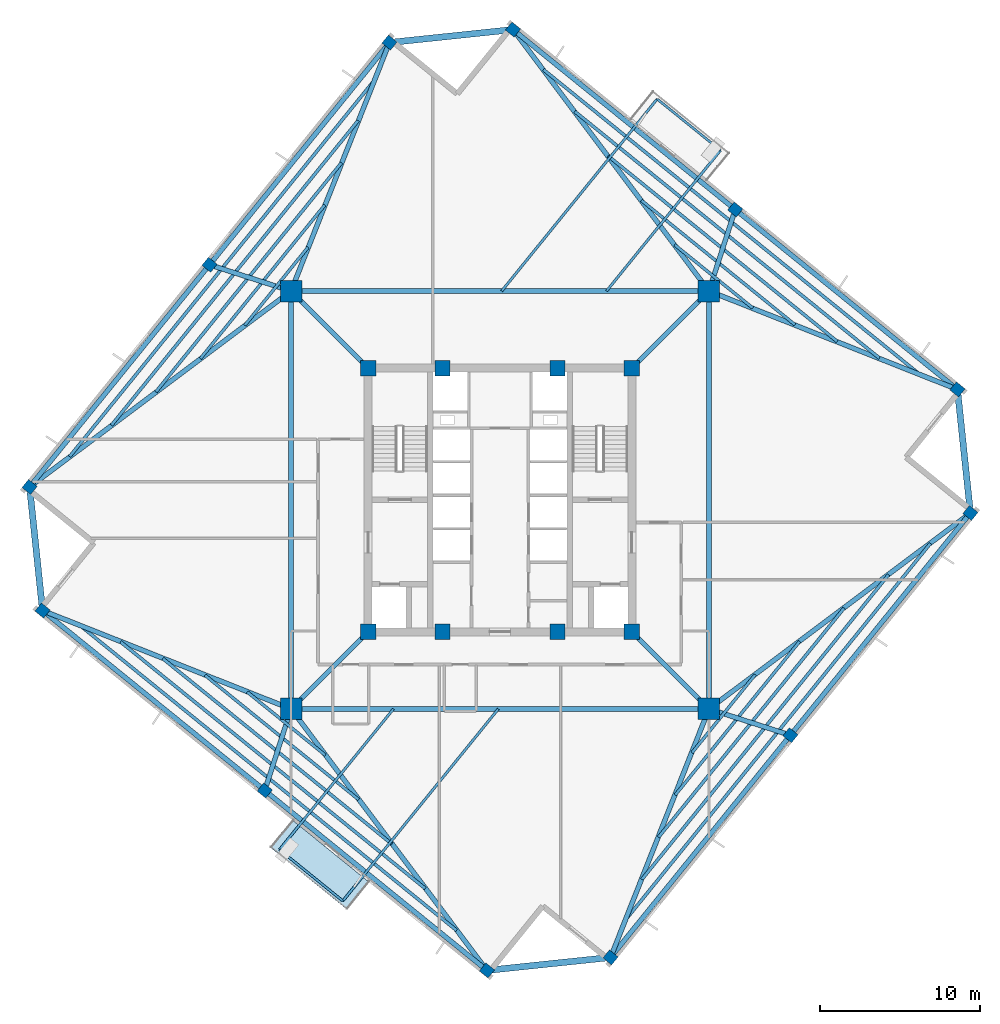
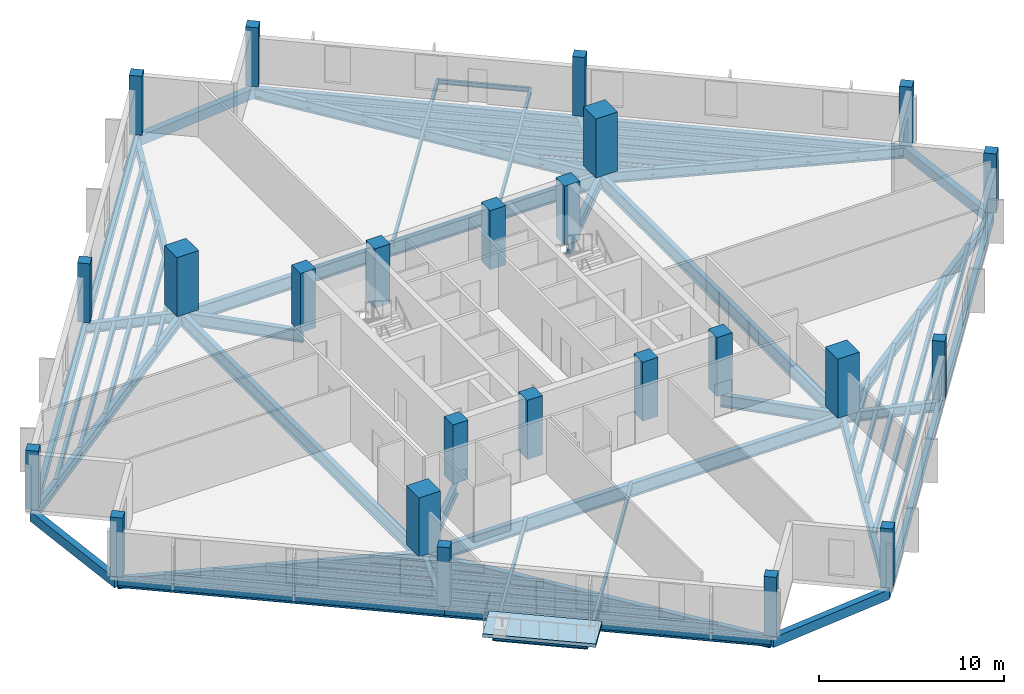
# One storey, part 1 of 10: 58 beams, 24 columns, 1 slab.
"""IFC4 building model written with IfcOpenShell, lengths in metres."""

from ifc_helpers import new_model, si_unit, direction, frame, origin, origin_2d, place, context, subcontext, project, spatial, polyline, rectangle, i_section, outline, extrude, source, transform, mapped, material, layer, layer_set, material_profile, profile_set, type_object, element, save


model = new_model("IFC4")

# Units and contexts
model_context = context("Model", 3, precision=1e-05, world=origin(), true_north=direction((0.0, 1.0)))
body_context = subcontext(model_context, "Body", "Model", "MODEL_VIEW")
ifc_project = project(units=[si_unit("LENGTHUNIT", "METRE"), si_unit("AREAUNIT", "SQUARE_METRE"), si_unit("VOLUMEUNIT", "CUBIC_METRE"), si_unit("PLANEANGLEUNIT", "RADIAN"), si_unit("MASSUNIT", "GRAM", prefix="KILO"), si_unit("THERMODYNAMICTEMPERATUREUNIT", "KELVIN")], contexts=[model_context])

# Site, building, storey
site_placement = place(None, origin())
site = spatial("IfcSite", under=ifc_project, at=site_placement, CompositionType="ELEMENT")
building_placement = place(site_placement, origin())
building = spatial("IfcBuilding", under=site, at=building_placement, Name="Kosmvard Interchange Tower", CompositionType="ELEMENT")
storey_placement = place(building_placement, frame((0.0, 0.0, 217.300048828125)))
storey = spatial("IfcBuildingStorey", under=building, at=storey_placement, Name="L52", CompositionType="ELEMENT", Elevation=217.300048828125)

# Columns
ifc_material_1 = material(Name="Concrete C60/75", Category="concrete")
ifc_material_profile_1 = material_profile(ifc_material_1, rectangle(XDim=0.949951171875, YDim=0.949951171875, at=origin_2d()), Name="CP 950x950")
ifc_profile_set_1 = profile_set([ifc_material_profile_1], Name="Concrete C60/75")
column_type_1 = type_object("IfcColumnType", Name="Core Boundary Pilaster 950x950 C60/75", PredefinedType="PILASTER", material=ifc_profile_set_1)
shared_shape_1 = source(origin(), body_context, "Body", "SweptSolid", [
    extrude(rectangle(XDim=0.949951171875, YDim=0.949951171875, at=origin_2d()), origin(), (0.0, 0.0, 1.0), 3.89990234375),
])
for number, where, z_axis, x_axis, name in (
    (1, (-8.25, -8.25, 0.0), (0.0, 0.0, 1.0), (1.0, 0.0, 0.0), "L52 Core Pilaster CP1"),
    (2, (8.25, -8.25, 0.0), (0.0, 0.0, 1.0), (1.0, 0.0, 0.0), "L52 Core Pilaster CP2"),
    (3, (8.25, 8.25, 0.0), (0.0, 0.0, 1.0), (1.0, 0.0, 0.0), "L52 Core Pilaster CP3"),
    (4, (-8.25, 8.25, 0.0), (0.0, 0.0, 1.0), (1.0, 0.0, 0.0), "L52 Core Pilaster CP4"),
    (5, (-3.60009765625, -8.25, 0.0), (0.0, 0.0, 1.0), (1.0, 0.0, 0.0), "L52 Core Pilaster CP5"),
    (6, (3.60009765625, -8.25, 0.0), (0.0, 0.0, 1.0), (1.0, 0.0, 0.0), "L52 Core Pilaster CP6"),
    (7, (-3.60009765625, 8.25, 0.0), (0.0, 0.0, 1.0), (1.0, 0.0, 0.0), "L52 Core Pilaster CP7"),
    (8, (3.60009765625, 8.25, 0.0), (0.0, 0.0, 1.0), (1.0, 0.0, 0.0), "L52 Core Pilaster CP8"),
):
    element("IfcColumn", number, at=place(storey_placement, frame(where, z_axis=z_axis, x_axis=x_axis)), inside=storey, type_object=column_type_1, Name=name, PredefinedType="PILASTER", context=body_context, shape_type="MappedRepresentation", body=[
        mapped(shared_shape_1, transform((0.0, 0.0, 0.0), scale=1.0)),
    ])
ifc_material_profile_2 = material_profile(ifc_material_1, rectangle(XDim=1.35009765625, YDim=1.35009765625, at=origin_2d()), Name="MC 1350x1350")
ifc_profile_set_2 = profile_set([ifc_material_profile_2], Name="Concrete C60/75")
column_type_2 = type_object("IfcColumnType", Name="Composite Mega-Column 1350x1350 C60/75", PredefinedType="COLUMN", material=ifc_profile_set_2)
shared_shape_2 = source(origin(), body_context, "Body", "SweptSolid", [
    extrude(rectangle(XDim=1.35009765625, YDim=1.35009765625, at=origin_2d()), origin(), (0.0, 0.0, 1.0), 3.89990234375),
])
for number, where, z_axis, x_axis, name in (
    (9, (-13.0810546875, -13.0810546875, 0.0), (0.0, 0.0, 1.0), (1.0, 0.0, 0.0), "L52 Corner Mega-Column MC1"),
    (10, (13.0810546875, -13.0810546875, 0.0), (0.0, 0.0, 1.0), (1.0, 0.0, 0.0), "L52 Corner Mega-Column MC2"),
    (11, (13.0810546875, 13.0810546875, 0.0), (0.0, 0.0, 1.0), (1.0, 0.0, 0.0), "L52 Corner Mega-Column MC3"),
    (12, (-13.0810546875, 13.0810546875, 0.0), (0.0, 0.0, 1.0), (1.0, 0.0, 0.0), "L52 Corner Mega-Column MC4"),
):
    element("IfcColumn", number, at=place(storey_placement, frame(where, z_axis=z_axis, x_axis=x_axis)), inside=storey, type_object=column_type_2, Name=name, PredefinedType="COLUMN", context=body_context, shape_type="MappedRepresentation", body=[
        mapped(shared_shape_2, transform((0.0, 0.0, 0.0), scale=1.0)),
    ])
ifc_material_2 = material(Name="Concrete C50/60", Category="concrete")
ifc_material_profile_3 = material_profile(ifc_material_2, rectangle(XDim=0.64990234375, YDim=0.699951171875, at=origin_2d()), Name="TC 700x650")
ifc_profile_set_3 = profile_set([ifc_material_profile_3], Name="Concrete C50/60")
column_type_3 = type_object("IfcColumnType", Name="Zone 4 Perimeter Pier Column 700x650 C50/60", PredefinedType="COLUMN", material=ifc_profile_set_3)
shared_shape_3 = source(origin(), body_context, "Body", "SweptSolid", [
    extrude(rectangle(XDim=0.64990234375, YDim=0.699951171875, at=origin_2d()), origin(), (0.0, 0.0, 1.0), 3.89990234375),
])
for number, where, z_axis, x_axis, name in (
    (13, (6.92041015625, -28.636962890625, 0.0), (0.0, 0.0, 1.0), (0.62932039105, 0.777145961457, 0.0), "L52 Perimeter Pier Column TC-S1"),
    (14, (18.185302734375, -14.72607421875, 0.0), (0.0, 0.0, 1.0), (0.62932039105, 0.777145961457, 0.0), "L52 Perimeter Pier Column TC-S2"),
    (15, (29.449951171875, -0.815185546875, 0.0), (0.0, 0.0, 1.0), (0.62932039105, 0.777145961457, 0.0), "L52 Perimeter Pier Column TC-S3"),
    (16, (28.636962890625, 6.92041015625, 0.0), (0.0, 0.0, 1.0), (0.62932039105, 0.777145961457, 0.0), "L52 Perimeter Pier Column TC-E1"),
    (17, (14.72607421875, 18.185302734375, 0.0), (0.0, 0.0, 1.0), (0.62932039105, 0.777145961457, 0.0), "L52 Perimeter Pier Column TC-E2"),
    (18, (0.815185546875, 29.449951171875, 0.0), (0.0, 0.0, 1.0), (0.62932039105, 0.777145961457, 0.0), "L52 Perimeter Pier Column TC-E3"),
    (19, (-6.92041015625, 28.636962890625, 0.0), (0.0, 0.0, 1.0), (0.62932039105, 0.777145961457, 0.0), "L52 Perimeter Pier Column TC-N1"),
    (20, (-18.185302734375, 14.72607421875, 0.0), (0.0, 0.0, 1.0), (0.62932039105, 0.777145961457, 0.0), "L52 Perimeter Pier Column TC-N2"),
    (21, (-29.449951171875, 0.815185546875, 0.0), (0.0, 0.0, 1.0), (0.62932039105, 0.777145961457, 0.0), "L52 Perimeter Pier Column TC-N3"),
    (22, (-28.636962890625, -6.92041015625, 0.0), (0.0, 0.0, 1.0), (0.62932039105, 0.777145961457, 0.0), "L52 Perimeter Pier Column TC-W1"),
    (23, (-14.72607421875, -18.185302734375, 0.0), (0.0, 0.0, 1.0), (0.62932039105, 0.777145961457, 0.0), "L52 Perimeter Pier Column TC-W2"),
    (24, (-0.815185546875, -29.449951171875, 0.0), (0.0, 0.0, 1.0), (0.62932039105, 0.777145961457, 0.0), "L52 Perimeter Pier Column TC-W3"),
):
    element("IfcColumn", number, at=place(storey_placement, frame(where, z_axis=z_axis, x_axis=x_axis)), inside=storey, type_object=column_type_3, Name=name, PredefinedType="COLUMN", context=body_context, shape_type="MappedRepresentation", body=[
        mapped(shared_shape_3, transform((0.0, 0.0, 0.0), scale=1.0)),
    ])

# Beams
ifc_material_3 = material(Name="Steel S355", Category="steel")
ifc_material_profile_4 = material_profile(ifc_material_3, i_section(OverallWidth=0.14990234375, OverallDepth=0.300048828125, WebThickness=0.007080078125, FlangeThickness=0.0107421875, FilletRadius=0.014892578125, at=origin_2d()), Name="IPE 300")
ifc_profile_set_4 = profile_set([ifc_material_profile_4], Name="Steel S355")
beam_type_1 = type_object("IfcBeamType", Name="Balcony Edge Header Joist IPE 300 S355", PredefinedType="JOIST", material=ifc_profile_set_4)
shared_shape_4 = source(origin(), body_context, "Body", "SweptSolid", [
    extrude(i_section(OverallWidth=0.14990234375, OverallDepth=0.300048828125, WebThickness=0.007080078125, FlangeThickness=0.0107421875, FilletRadius=0.014892578125, at=origin_2d()), origin(), (0.0, 0.0, 1.0), 5.099853515625),
])
for number, where, z_axis, x_axis, name in (
    (25, (13.80322265625, 21.89208984375, -0.39013671875), (-0.777146757369, 0.629319408179, 0.0), (-0.629319408179, -0.777146757369, 0.0), "BM-L52-BJH1"),
    (26, (-13.80322265625, -21.89208984375, -0.39013671875), (0.777146757369, -0.629319408179, 0.0), (0.629319408179, 0.777146757369, 0.0), "BM-L52-BJH2"),
):
    element("IfcBeam", number, at=place(storey_placement, frame(where, z_axis=z_axis, x_axis=x_axis)), inside=storey, type_object=beam_type_1, Name=name, PredefinedType="JOIST", context=body_context, shape_type="MappedRepresentation", body=[
        mapped(shared_shape_4, transform((0.0, 0.0, 0.0), scale=1.0)),
    ])
ifc_material_profile_5 = material_profile(ifc_material_3, i_section(OverallWidth=0.300048828125, OverallDepth=0.800048828125, WebThickness=0.017578125, FlangeThickness=0.032958984375, FilletRadius=0.027099609375, at=origin_2d()), Name="HEB 800")
ifc_profile_set_5 = profile_set([ifc_material_profile_5], Name="Steel S355")
beam_type_2 = type_object("IfcBeamType", Name="Primary Mega-Frame Girder HEB 800 S355", PredefinedType="BEAM", material=ifc_profile_set_5)
shared_shape_5 = source(origin(), body_context, "Body", "SweptSolid", [
    extrude(i_section(OverallWidth=0.300048828125, OverallDepth=0.800048828125, WebThickness=0.017578125, FlangeThickness=0.032958984375, FilletRadius=0.027099609375, at=origin_2d()), origin(), (0.0, 0.0, 1.0), 6.83203125),
])
for number, where, z_axis, x_axis, name in (
    (27, (-8.25, -8.25, -0.64013671875), (-0.707106781187, -0.707106781187, 0.0), (0.707106781187, -0.707106781187, 0.0), "L52 Radial Mega-Frame Girder 1"),
    (28, (8.25, -8.25, -0.64013671875), (0.707106781187, -0.707106781187, 0.0), (0.707106781187, 0.707106781187, 0.0), "L52 Radial Mega-Frame Girder 2"),
    (29, (8.25, 8.25, -0.64013671875), (0.707106781187, 0.707106781187, 0.0), (-0.707106781187, 0.707106781187, 0.0), "L52 Radial Mega-Frame Girder 3"),
    (30, (-8.25, 8.25, -0.64013671875), (-0.707106781187, 0.707106781187, 0.0), (-0.707106781187, -0.707106781187, 0.0), "L52 Radial Mega-Frame Girder 4"),
):
    element("IfcBeam", number, at=place(storey_placement, frame(where, z_axis=z_axis, x_axis=x_axis)), inside=storey, type_object=beam_type_2, Name=name, PredefinedType="BEAM", context=body_context, shape_type="MappedRepresentation", body=[
        mapped(shared_shape_5, transform((0.0, 0.0, 0.0), scale=1.0)),
    ])
ifc_material_profile_6 = material_profile(ifc_material_3, i_section(OverallWidth=0.300048828125, OverallDepth=0.89990234375, WebThickness=0.0185546875, FlangeThickness=0.034912109375, FilletRadius=0.030029296875, at=origin_2d()), Name="HEB 900")
ifc_profile_set_6 = profile_set([ifc_material_profile_6], Name="Steel S355")
beam_type_3 = type_object("IfcBeamType", Name="Mega-Column Ring Girder HEB 900 S355", PredefinedType="BEAM", material=ifc_profile_set_6)
shared_shape_6 = source(origin(), body_context, "Body", "SweptSolid", [
    extrude(i_section(OverallWidth=0.300048828125, OverallDepth=0.89990234375, WebThickness=0.0185546875, FlangeThickness=0.034912109375, FilletRadius=0.030029296875, at=origin_2d()), origin(), (0.0, 0.0, 1.0), 26.162109375),
])
for number, where, z_axis, x_axis, name in (
    (31, (-13.0810546875, -13.0810546875, -0.68994140625), (1.0, 0.0, 0.0), (0.0, 1.0, 0.0), "L52 Mega-Column Ring Girder 1"),
    (32, (13.0810546875, -13.0810546875, -0.68994140625), (0.0, 1.0, 0.0), (-1.0, 0.0, 0.0), "L52 Mega-Column Ring Girder 2"),
    (33, (13.0810546875, 13.0810546875, -0.68994140625), (-1.0, 0.0, 0.0), (0.0, -1.0, 0.0), "L52 Mega-Column Ring Girder 3"),
    (34, (-13.0810546875, 13.0810546875, -0.68994140625), (0.0, -1.0, 0.0), (1.0, 0.0, 0.0), "L52 Mega-Column Ring Girder 4"),
):
    element("IfcBeam", number, at=place(storey_placement, frame(where, z_axis=z_axis, x_axis=x_axis)), inside=storey, type_object=beam_type_3, Name=name, PredefinedType="BEAM", context=body_context, shape_type="MappedRepresentation", body=[
        mapped(shared_shape_6, transform((0.0, 0.0, 0.0), scale=1.0)),
    ])
ifc_material_profile_7 = material_profile(ifc_material_3, i_section(OverallWidth=0.300048828125, OverallDepth=0.60009765625, WebThickness=0.015380859375, FlangeThickness=0.030029296875, FilletRadius=0.027099609375, at=origin_2d()), Name="HEB 600")
ifc_profile_set_7 = profile_set([ifc_material_profile_7], Name="Steel S355")
beam_type_4 = type_object("IfcBeamType", Name="Perimeter Tie Girder HEB 600 S355", PredefinedType="BEAM", material=ifc_profile_set_7)
shared_shape_7 = source(origin(), body_context, "Body", "SweptSolid", [
    extrude(i_section(OverallWidth=0.300048828125, OverallDepth=0.60009765625, WebThickness=0.015380859375, FlangeThickness=0.030029296875, FilletRadius=0.027099609375, at=origin_2d()), origin(), (0.0, 0.0, 1.0), 17.89990234375),
])
for number, where, z_axis, x_axis, name in (
    (35, (6.92041015625, -28.636962890625, -0.5400390625), (0.629322990554, 0.777143856413, 0.0), (-0.777143856413, 0.629322990554, 0.0), "BM-L52-PR01"),
    (36, (18.185302734375, -14.72607421875, -0.5400390625), (0.629314753061, 0.777150526976, 0.0), (-0.777150526976, 0.629314753061, 0.0), "BM-L52-PR02"),
    (37, (28.636962890625, 6.92041015625, -0.5400390625), (-0.777143856413, 0.629322990554, 0.0), (-0.629322990554, -0.777143856413, 0.0), "BM-L52-PR04"),
    (38, (14.72607421875, 18.185302734375, -0.5400390625), (-0.777150526976, 0.629314753061, 0.0), (-0.629314753061, -0.777150526976, 0.0), "BM-L52-PR05"),
    (39, (-6.92041015625, 28.636962890625, -0.5400390625), (-0.629322990554, -0.777143856413, 0.0), (0.777143856413, -0.629322990554, 0.0), "BM-L52-PR07"),
    (40, (-18.185302734375, 14.72607421875, -0.5400390625), (-0.629314753061, -0.777150526976, 0.0), (0.777150526976, -0.629314753061, 0.0), "BM-L52-PR08"),
    (41, (-28.636962890625, -6.92041015625, -0.5400390625), (0.777143856413, -0.629322990554, 0.0), (0.629322990554, 0.777143856413, 0.0), "BM-L52-PR10"),
    (42, (-14.72607421875, -18.185302734375, -0.5400390625), (0.777150526976, -0.629314753061, 0.0), (0.629314753061, 0.777150526976, 0.0), "BM-L52-PR11"),
):
    element("IfcBeam", number, at=place(storey_placement, frame(where, z_axis=z_axis, x_axis=x_axis)), inside=storey, type_object=beam_type_4, Name=name, PredefinedType="BEAM", context=body_context, shape_type="MappedRepresentation", body=[
        mapped(shared_shape_7, transform((0.0, 0.0, 0.0), scale=1.0)),
    ])
ifc_material_profile_8 = material_profile(ifc_material_3, i_section(OverallWidth=0.300048828125, OverallDepth=0.699951171875, WebThickness=0.01708984375, FlangeThickness=0.031982421875, FilletRadius=0.027099609375, at=origin_2d()), Name="HEB 700")
ifc_profile_set_8 = profile_set([ifc_material_profile_8], Name="Steel S355")
beam_type_5 = type_object("IfcBeamType", Name="Primary Floor Girder HEB 700 S355", PredefinedType="BEAM", material=ifc_profile_set_8)
shared_shape_8 = source(origin(), body_context, "Body", "SweptSolid", [
    extrude(i_section(OverallWidth=0.300048828125, OverallDepth=0.699951171875, WebThickness=0.01708984375, FlangeThickness=0.031982421875, FilletRadius=0.027099609375, at=origin_2d()), origin(), (0.0, 0.0, 1.0), 16.7314453125),
])
for number, where, z_axis, x_axis, name in (
    (43, (13.0810546875, -13.0810546875, -0.590087890625), (-0.368208500474, -0.929743244223, 0.0), (0.929743244223, -0.368208500474, 0.0), "BM-L52-RD01"),
    (44, (13.0810546875, 13.0810546875, -0.590087890625), (0.929743244223, -0.368208500474, 0.0), (0.368208500474, 0.929743244223, 0.0), "BM-L52-RD04"),
    (45, (-13.0810546875, 13.0810546875, -0.590087890625), (0.368208500474, 0.929743244223, 0.0), (-0.929743244223, 0.368208500474, 0.0), "BM-L52-RD07"),
    (46, (-13.0810546875, -13.0810546875, -0.590087890625), (-0.929743244223, 0.368208500474, 0.0), (-0.368208500474, -0.929743244223, 0.0), "BM-L52-RD10"),
):
    element("IfcBeam", number, at=place(storey_placement, frame(where, z_axis=z_axis, x_axis=x_axis)), inside=storey, type_object=beam_type_5, Name=name, PredefinedType="BEAM", context=body_context, shape_type="MappedRepresentation", body=[
        mapped(shared_shape_8, transform((0.0, 0.0, 0.0), scale=1.0)),
    ])
ifc_material_profile_9 = material_profile(ifc_material_3, i_section(OverallWidth=0.300048828125, OverallDepth=0.64990234375, WebThickness=0.01611328125, FlangeThickness=0.031005859375, FilletRadius=0.027099609375, at=origin_2d()), Name="HEB 650")
ifc_profile_set_9 = profile_set([ifc_material_profile_9], Name="Steel S355")
beam_type_6 = type_object("IfcBeamType", Name="Primary Floor Girder HEB 650 S355", PredefinedType="BEAM", material=ifc_profile_set_9)
shared_shape_9 = source(origin(), body_context, "Body", "SweptSolid", [
    extrude(i_section(OverallWidth=0.300048828125, OverallDepth=0.64990234375, WebThickness=0.01611328125, FlangeThickness=0.031005859375, FilletRadius=0.027099609375, at=origin_2d()), origin(), (0.0, 0.0, 1.0), 5.36279296875),
])
for number, where, z_axis, x_axis, name in (
    (47, (13.0810546875, -13.0810546875, -0.56494140625), (0.951790966135, -0.306747382686, 0.0), (0.306747382686, 0.951790966135, 0.0), "BM-L52-RD02"),
    (48, (13.0810546875, 13.0810546875, -0.56494140625), (0.306747382686, 0.951790966135, 0.0), (-0.951790966135, 0.306747382686, 0.0), "BM-L52-RD05"),
    (49, (-13.0810546875, 13.0810546875, -0.56494140625), (-0.951790966135, 0.306747382686, 0.0), (-0.306747382686, -0.951790966135, 0.0), "BM-L52-RD08"),
    (50, (-13.0810546875, -13.0810546875, -0.56494140625), (-0.306747382686, -0.951790966135, 0.0), (0.951790966135, -0.306747382686, 0.0), "BM-L52-RD11"),
):
    element("IfcBeam", number, at=place(storey_placement, frame(where, z_axis=z_axis, x_axis=x_axis)), inside=storey, type_object=beam_type_6, Name=name, PredefinedType="BEAM", context=body_context, shape_type="MappedRepresentation", body=[
        mapped(shared_shape_9, transform((0.0, 0.0, 0.0), scale=1.0)),
    ])
ifc_material_4 = material(Name="Precast concrete C45/55", Category="concrete")
ifc_material_profile_10 = material_profile(ifc_material_4, rectangle(XDim=0.39990234375, YDim=0.64990234375, at=origin_2d()), Name="SL 400x650")
ifc_profile_set_10 = profile_set([ifc_material_profile_10], Name="Precast concrete C45/55")
beam_type_7 = type_object("IfcBeamType", Name="Precast Spandrel Lintel 400x650 C45/55", PredefinedType="LINTEL", material=ifc_profile_set_10)
shared_shape_10 = source(origin(), body_context, "Body", "SweptSolid", [
    extrude(rectangle(XDim=0.39990234375, YDim=0.64990234375, at=origin_2d()), origin(), (0.0, 0.0, 1.0), 7.7783203125),
])
for number, where, z_axis, x_axis, name in (
    (51, (29.449951171875, -0.815185546875, -0.56494140625), (-0.104521394525, 0.994522638298, 0.0), (-0.994522638298, -0.104521394525, 0.0), "BM-L52-SL1"),
    (52, (0.815185546875, 29.449951171875, -0.56494140625), (-0.994522638298, -0.104521394525, 0.0), (0.104521394525, -0.994522638298, 0.0), "BM-L52-SL2"),
    (53, (-29.449951171875, 0.815185546875, -0.56494140625), (0.104521394525, -0.994522638298, 0.0), (0.994522638298, 0.104521394525, 0.0), "BM-L52-SL3"),
    (54, (-0.815185546875, -29.449951171875, -0.56494140625), (0.994522638298, 0.104521394525, 0.0), (-0.104521394525, 0.994522638298, 0.0), "BM-L52-SL4"),
):
    element("IfcBeam", number, at=place(storey_placement, frame(where, z_axis=z_axis, x_axis=x_axis)), inside=storey, type_object=beam_type_7, Name=name, PredefinedType="LINTEL", context=body_context, shape_type="MappedRepresentation", body=[
        mapped(shared_shape_10, transform((0.0, 0.0, 0.0), scale=1.0)),
    ])
shared_shape_11 = source(origin(), body_context, "Body", "SweptSolid", [
    extrude(i_section(OverallWidth=0.300048828125, OverallDepth=0.699951171875, WebThickness=0.01708984375, FlangeThickness=0.031982421875, FilletRadius=0.027099609375, at=origin_2d()), origin(), (0.0, 0.0, 1.0), 20.45458984375),
])
for number, where, z_axis, x_axis, name in (
    (55, (13.0810546875, -13.0810546875, -0.590087890625), (0.800253443036, 0.599661927179, 0.0), (-0.599661927179, 0.800253443036, 0.0), "BM-L52-RD03"),
    (56, (13.0810546875, 13.0810546875, -0.590087890625), (-0.599661927179, 0.800253443036, 0.0), (-0.800253443036, -0.599661927179, 0.0), "BM-L52-RD06"),
    (57, (-13.0810546875, 13.0810546875, -0.590087890625), (-0.800253443036, -0.599661927179, 0.0), (0.599661927179, -0.800253443036, 0.0), "BM-L52-RD09"),
    (58, (-13.0810546875, -13.0810546875, -0.590087890625), (0.599661927179, -0.800253443036, 0.0), (0.800253443036, 0.599661927179, 0.0), "BM-L52-RD12"),
):
    element("IfcBeam", number, at=place(storey_placement, frame(where, z_axis=z_axis, x_axis=x_axis)), inside=storey, type_object=beam_type_5, Name=name, PredefinedType="BEAM", context=body_context, shape_type="MappedRepresentation", body=[
        mapped(shared_shape_11, transform((0.0, 0.0, 0.0), scale=1.0)),
    ])
ifc_material_profile_11 = material_profile(ifc_material_3, i_section(OverallWidth=0.18994140625, OverallDepth=0.449951171875, WebThickness=0.009521484375, FlangeThickness=0.0146484375, FilletRadius=0.02099609375, at=origin_2d()), Name="IPE 450")
ifc_profile_set_11 = profile_set([ifc_material_profile_11], Name="Steel S355")
beam_type_8 = type_object("IfcBeamType", Name="Mid-Rise Floor Joist IPE 450 S355", PredefinedType="JOIST", material=ifc_profile_set_11)
shared_shape_12 = source(origin(), body_context, "Body", "SweptSolid", [
    extrude(i_section(OverallWidth=0.18994140625, OverallDepth=0.449951171875, WebThickness=0.009521484375, FlangeThickness=0.0146484375, FilletRadius=0.02099609375, at=origin_2d()), origin(), (0.0, 0.0, 1.0), 6.283935546875),
])
for number, where, z_axis, x_axis, name in (
    (59, (12.0224609375, -15.81884765625, -0.465087890625), (0.629317809561, 0.777148051898, 0.0), (-0.777148051898, 0.629317809561, 0.0), "BM-L52-FJ01"),
    (60, (15.81884765625, 12.0224609375, -0.465087890625), (-0.777148051898, 0.629317809561, 0.0), (-0.629317809561, -0.777148051898, 0.0), "BM-L52-FJ06"),
    (61, (-12.0224609375, 15.81884765625, -0.465087890625), (-0.629317809561, -0.777148051898, 0.0), (0.777148051898, -0.629317809561, 0.0), "BM-L52-FJ11"),
    (62, (-15.81884765625, -12.0224609375, -0.465087890625), (0.777148051898, -0.629317809561, 0.0), (0.629317809561, 0.777148051898, 0.0), "BM-L52-FJ16"),
):
    element("IfcBeam", number, at=place(storey_placement, frame(where, z_axis=z_axis, x_axis=x_axis)), inside=storey, type_object=beam_type_8, Name=name, PredefinedType="JOIST", context=body_context, shape_type="MappedRepresentation", body=[
        mapped(shared_shape_12, transform((0.0, 0.0, 0.0), scale=1.0)),
    ])
shared_shape_13 = source(origin(), body_context, "Body", "SweptSolid", [
    extrude(i_section(OverallWidth=0.18994140625, OverallDepth=0.449951171875, WebThickness=0.009521484375, FlangeThickness=0.0146484375, FilletRadius=0.02099609375, at=origin_2d()), origin(), (0.0, 0.0, 1.0), 12.369873046875),
])
for number, where, z_axis, x_axis, name in (
    (63, (10.97509765625, -18.46337890625, -0.465087890625), (0.629319722443, 0.777146502883, 0.0), (-0.777146502883, 0.629319722443, 0.0), "BM-L52-FJ02"),
    (64, (18.46337890625, 10.97509765625, -0.465087890625), (-0.777146502883, 0.629319722443, 0.0), (-0.629319722443, -0.777146502883, 0.0), "BM-L52-FJ07"),
    (65, (-10.97509765625, 18.46337890625, -0.465087890625), (-0.629319722443, -0.777146502883, 0.0), (0.777146502883, -0.629319722443, 0.0), "BM-L52-FJ12"),
    (66, (-18.46337890625, -10.97509765625, -0.465087890625), (0.777146502883, -0.629319722443, 0.0), (0.629319722443, 0.777146502883, 0.0), "BM-L52-FJ17"),
):
    element("IfcBeam", number, at=place(storey_placement, frame(where, z_axis=z_axis, x_axis=x_axis)), inside=storey, type_object=beam_type_8, Name=name, PredefinedType="JOIST", context=body_context, shape_type="MappedRepresentation", body=[
        mapped(shared_shape_13, transform((0.0, 0.0, 0.0), scale=1.0)),
    ])
ifc_material_profile_12 = material_profile(ifc_material_3, i_section(OverallWidth=0.199951171875, OverallDepth=0.5, WebThickness=0.01025390625, FlangeThickness=0.01611328125, FilletRadius=0.02099609375, at=origin_2d()), Name="IPE 500")
ifc_profile_set_12 = profile_set([ifc_material_profile_12], Name="Steel S355")
beam_type_9 = type_object("IfcBeamType", Name="Standard Floor Joist IPE 500 S355", PredefinedType="JOIST", material=ifc_profile_set_12)
shared_shape_14 = source(origin(), body_context, "Body", "SweptSolid", [
    extrude(i_section(OverallWidth=0.199951171875, OverallDepth=0.5, WebThickness=0.01025390625, FlangeThickness=0.01611328125, FilletRadius=0.02099609375, at=origin_2d()), origin(), (0.0, 0.0, 1.0), 18.4560546875),
])
for number, where, z_axis, x_axis, name in (
    (67, (9.927734375, -21.10791015625, -0.489990234375), (0.629320373744, 0.777145975471, 0.0), (-0.777145975471, 0.629320373744, 0.0), "BM-L52-FJ03"),
    (68, (21.10791015625, 9.927734375, -0.489990234375), (-0.777145975471, 0.629320373744, 0.0), (-0.629320373744, -0.777145975471, 0.0), "BM-L52-FJ08"),
    (69, (-9.927734375, 21.10791015625, -0.489990234375), (-0.629320373744, -0.777145975471, 0.0), (0.777145975471, -0.629320373744, 0.0), "BM-L52-FJ13"),
    (70, (-21.10791015625, -9.927734375, -0.489990234375), (0.777145975471, -0.629320373744, 0.0), (0.629320373744, 0.777145975471, 0.0), "BM-L52-FJ18"),
):
    element("IfcBeam", number, at=place(storey_placement, frame(where, z_axis=z_axis, x_axis=x_axis)), inside=storey, type_object=beam_type_9, Name=name, PredefinedType="JOIST", context=body_context, shape_type="MappedRepresentation", body=[
        mapped(shared_shape_14, transform((0.0, 0.0, 0.0), scale=1.0)),
    ])
shared_shape_15 = source(origin(), body_context, "Body", "SweptSolid", [
    extrude(i_section(OverallWidth=0.199951171875, OverallDepth=0.5, WebThickness=0.01025390625, FlangeThickness=0.01611328125, FilletRadius=0.02099609375, at=origin_2d()), origin(), (0.0, 0.0, 1.0), 24.5419921875),
])
for number, where, z_axis, x_axis, name in (
    (71, (8.880615234375, -23.75244140625, -0.489990234375), (0.629314693907, 0.777150574878, 0.0), (-0.777150574878, 0.629314693907, 0.0), "BM-L52-FJ04"),
    (72, (23.75244140625, 8.880615234375, -0.489990234375), (-0.777150574878, 0.629314693907, 0.0), (-0.629314693907, -0.777150574878, 0.0), "BM-L52-FJ09"),
    (73, (-8.880615234375, 23.75244140625, -0.489990234375), (-0.629314693907, -0.777150574878, 0.0), (0.777150574878, -0.629314693907, 0.0), "BM-L52-FJ14"),
    (74, (-23.75244140625, -8.880615234375, -0.489990234375), (0.777150574878, -0.629314693907, 0.0), (0.629314693907, 0.777150574878, 0.0), "BM-L52-FJ19"),
):
    element("IfcBeam", number, at=place(storey_placement, frame(where, z_axis=z_axis, x_axis=x_axis)), inside=storey, type_object=beam_type_9, Name=name, PredefinedType="JOIST", context=body_context, shape_type="MappedRepresentation", body=[
        mapped(shared_shape_15, transform((0.0, 0.0, 0.0), scale=1.0)),
    ])
shared_shape_16 = source(origin(), body_context, "Body", "SweptSolid", [
    extrude(i_section(OverallWidth=0.199951171875, OverallDepth=0.5, WebThickness=0.01025390625, FlangeThickness=0.01611328125, FilletRadius=0.02099609375, at=origin_2d()), origin(), (0.0, 0.0, 1.0), 30.27001953125),
])
for number, where, z_axis, x_axis, name in (
    (75, (7.894775390625, -26.241455078125, -0.489990234375), (0.629321655027, 0.777144937907, 0.0), (-0.777144937907, 0.629321655027, 0.0), "BM-L52-FJ05"),
    (76, (26.241455078125, 7.894775390625, -0.489990234375), (-0.777144937907, 0.629321655027, 0.0), (-0.629321655027, -0.777144937907, 0.0), "BM-L52-FJ10"),
    (77, (-7.894775390625, 26.241455078125, -0.489990234375), (-0.629321655027, -0.777144937907, 0.0), (0.777144937907, -0.629321655027, 0.0), "BM-L52-FJ15"),
    (78, (-26.241455078125, -7.894775390625, -0.489990234375), (0.777144937907, -0.629321655027, 0.0), (0.629321655027, 0.777144937907, 0.0), "BM-L52-FJ20"),
):
    element("IfcBeam", number, at=place(storey_placement, frame(where, z_axis=z_axis, x_axis=x_axis)), inside=storey, type_object=beam_type_9, Name=name, PredefinedType="JOIST", context=body_context, shape_type="MappedRepresentation", body=[
        mapped(shared_shape_16, transform((0.0, 0.0, 0.0), scale=1.0)),
    ])
ifc_material_profile_13 = material_profile(ifc_material_3, i_section(OverallWidth=0.159912109375, OverallDepth=0.330078125, WebThickness=0.007568359375, FlangeThickness=0.011474609375, FilletRadius=0.01806640625, at=origin_2d()), Name="IPE 330")
ifc_profile_set_13 = profile_set([ifc_material_profile_13], Name="Steel S355")
beam_type_10 = type_object("IfcBeamType", Name="Balcony Cantilever Joist IPE 330 S355", PredefinedType="JOIST", material=ifc_profile_set_13)
shared_shape_17 = source(origin(), body_context, "Body", "SweptSolid", [
    extrude(i_section(OverallWidth=0.159912109375, OverallDepth=0.330078125, WebThickness=0.007568359375, FlangeThickness=0.011474609375, FilletRadius=0.01806640625, at=origin_2d()), origin(), (0.0, 0.0, 1.0), 11.337646484375),
])
for number, where, z_axis, x_axis, name in (
    (79, (6.668212890625, 13.0810546875, -0.405029296875), (0.629319015631, 0.777147075247, 0.0), (-0.777147075247, 0.629319015631, 0.0), "BM-L52-BJ1"),
    (80, (-6.668212890625, -13.0810546875, -0.405029296875), (-0.629319015631, -0.777147075247, 0.0), (0.777147075247, -0.629319015631, 0.0), "BM-L52-BJ2"),
):
    element("IfcBeam", number, at=place(storey_placement, frame(where, z_axis=z_axis, x_axis=x_axis)), inside=storey, type_object=beam_type_10, Name=name, PredefinedType="JOIST", context=body_context, shape_type="MappedRepresentation", body=[
        mapped(shared_shape_17, transform((0.0, 0.0, 0.0), scale=1.0)),
    ])
shared_shape_18 = source(origin(), body_context, "Body", "SweptSolid", [
    extrude(i_section(OverallWidth=0.159912109375, OverallDepth=0.330078125, WebThickness=0.007568359375, FlangeThickness=0.011474609375, FilletRadius=0.01806640625, at=origin_2d()), origin(), (0.0, 0.0, 1.0), 15.467529296875),
])
for number, where, z_axis, x_axis, name in (
    (81, (0.105712890625, 13.0810546875, -0.405029296875), (0.629324903336, 0.777142307458, 0.0), (-0.777142307458, 0.629324903336, 0.0), "BM-L52-BJB1"),
    (82, (-0.105712890625, -13.0810546875, -0.405029296875), (-0.629324903336, -0.777142307458, 0.0), (0.777142307458, -0.629324903336, 0.0), "BM-L52-BJB2"),
):
    element("IfcBeam", number, at=place(storey_placement, frame(where, z_axis=z_axis, x_axis=x_axis)), inside=storey, type_object=beam_type_10, Name=name, PredefinedType="JOIST", context=body_context, shape_type="MappedRepresentation", body=[
        mapped(shared_shape_18, transform((0.0, 0.0, 0.0), scale=1.0)),
    ])

# Slab
ifc_layer = layer(ifc_material_2, 0.22998046875, Name="Concrete C50/60")
ifc_layer_set = layer_set([ifc_layer], Name="Concrete C50/60")
slab_type = type_object("IfcSlabType", Name="Tree-Planter Cantilever Balcony Slab 230 C50/60", PredefinedType="FLOOR", material=ifc_layer_set)
slab_placement = place(storey_placement, frame((0.0, 0.0, -0.22998046875)))
element("IfcSlab", 83, at=slab_placement, inside=storey, type_object=slab_type, Name="L52 Outdoor Terrace Balcony Slab BAL-L52-W", PredefinedType="FLOOR", context=body_context, shape_type="SweptSolid", body=[
    extrude(outline(polyline([(-9.569580078125, -25.64208984375), (-8.185302734375, -23.932373046875), (-13.00341796875, -20.030517578125), (-14.387939453125, -21.740234375), (-9.569580078125, -25.64208984375)])), origin(), (0.0, 0.0, 1.0), 0.22998046875),
])

save(model, "model.ifc")
